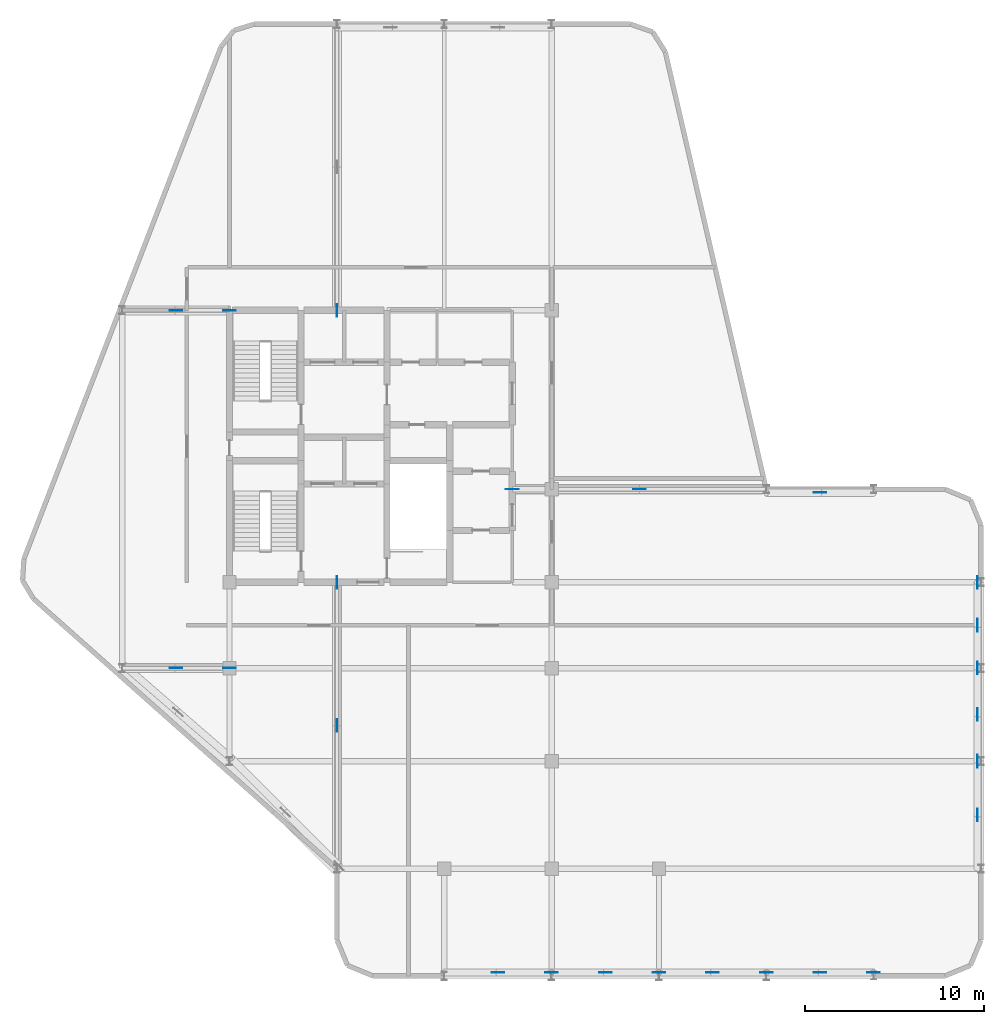
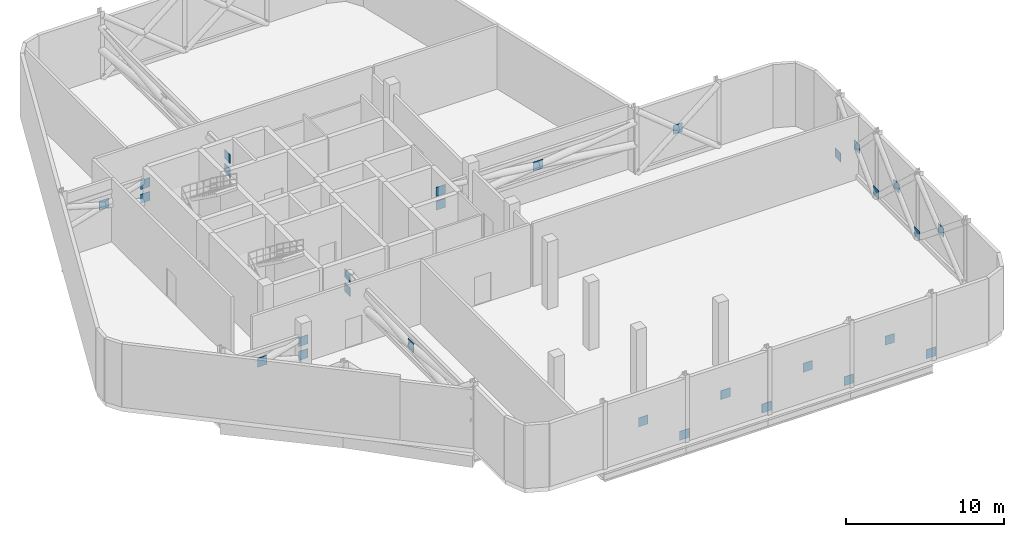
# One storey, part 8 of 12: 29 plates.
"""IFC4 building model written with IfcOpenShell, lengths in metres."""

from ifc_helpers import new_model, si_unit, direction, frame, origin, origin_2d, place, context, subcontext, project, spatial, rectangle, extrude, material, layer, layer_set, type_object, element, save


model = new_model("IFC4")

# Units and contexts
model_context = context("Model", 3, precision=1e-05, world=origin(), true_north=direction((0.0, 1.0)))
body_context = subcontext(model_context, "Body", "Model", "MODEL_VIEW")
ifc_project = project(units=[si_unit("LENGTHUNIT", "METRE"), si_unit("AREAUNIT", "SQUARE_METRE"), si_unit("VOLUMEUNIT", "CUBIC_METRE"), si_unit("PLANEANGLEUNIT", "RADIAN"), si_unit("MASSUNIT", "GRAM", prefix="KILO")], contexts=[model_context])

# Site, building, storey
site_placement = place(None, origin())
site = spatial("IfcSite", under=ifc_project, at=site_placement, CompositionType="ELEMENT")
building_placement = place(site_placement, origin())
building = spatial("IfcBuilding", under=site, at=building_placement, Name="Keshet Zoharim Tower", CompositionType="ELEMENT")
storey_placement = place(building_placement, frame((0.0, 0.0, 237.60009765625)))
storey = spatial("IfcBuildingStorey", under=building, at=storey_placement, Name="L59", CompositionType="ELEMENT", Elevation=237.60009765625)

# Plates
ifc_material = material(Name="Steel S355", Category="steel")
ifc_layer = layer(ifc_material, 0.02490234375)
ifc_layer_set = layer_set([ifc_layer], Name="Steel S355")
plate_type = type_object("IfcPlateType", Name="PL-GUS-25", PredefinedType="SHEET", material=ifc_layer_set)
for number, where, z_axis, x_axis, name in (
    (1, (56.81005859375, 20.300048828125, 2.08984375), (0.0, 0.0, 1.0), (0.0, -1.0, 0.0), "L59 Belt Truss X-Crossing Gusset 01"),
    (2, (56.81005859375, 22.699951171875, 0.0), (0.0, 0.0, 1.0), (0.0, -1.0, 0.0), "L59 Belt Truss Node Gusset 01"),
    (3, (56.81005859375, 15.300048828125, 2.08984375), (0.0, 0.0, 1.0), (0.0, -1.0, 0.0), "L59 Belt Truss X-Crossing Gusset 02"),
    (4, (56.81005859375, 17.89990234375, 0.0), (0.0, 0.0, 1.0), (0.0, -1.0, 0.0), "L59 Belt Truss Node Gusset 02"),
    (5, (56.81005859375, 9.699951171875, 2.08984375), (0.0, 0.0, 1.0), (0.0, -1.0, 0.0), "L59 Belt Truss X-Crossing Gusset 03"),
    (6, (56.81005859375, 12.699951171875, 0.0), (0.0, 0.0, 1.0), (0.0, -1.0, 0.0), "L59 Belt Truss Node Gusset 03"),
    (7, (48.0, 0.889892578125, 2.08984375), (0.0, 0.0, 1.0), (-1.0, 0.0, 0.0), "L59 Belt Truss X-Crossing Gusset 04"),
    (8, (51.0, 0.889892578125, 0.0), (0.0, 0.0, 1.0), (-1.0, 0.0, 0.0), "L59 Belt Truss Node Gusset 04"),
    (9, (42.0, 0.889892578125, 2.08984375), (0.0, 0.0, 1.0), (-1.0, 0.0, 0.0), "L59 Belt Truss X-Crossing Gusset 05"),
    (10, (45.0, 0.889892578125, 0.0), (0.0, 0.0, 1.0), (-1.0, 0.0, 0.0), "L59 Belt Truss Node Gusset 05"),
    (11, (36.0, 0.889892578125, 2.08984375), (0.0, 0.0, 1.0), (-1.0, 0.0, 0.0), "L59 Belt Truss X-Crossing Gusset 06"),
    (12, (39.0, 0.889892578125, 0.0), (0.0, 0.0, 1.0), (-1.0, 0.0, 0.0), "L59 Belt Truss Node Gusset 06"),
    (13, (30.0, 0.889892578125, 2.08984375), (0.0, 0.0, 1.0), (-1.0, 0.0, 0.0), "L59 Belt Truss X-Crossing Gusset 07"),
    (14, (33.0, 0.889892578125, 0.0), (0.0, 0.0, 1.0), (-1.0, 0.0, 0.0), "L59 Belt Truss Node Gusset 07"),
    (15, (48.0, 27.7099609375, 2.08984375), (0.0, 0.0, 1.0), (1.0, 0.0, 0.0), "L59 Belt Truss X-Crossing Gusset 12"),
    (16, (15.0, 17.89990234375, 2.14990234375), (0.0, 0.0, 1.0), (1.0, 0.0, 0.0), "L59 Core Outrigger Anchor Gusset W1"),
    (17, (15.0, 17.89990234375, 3.2197265625), (0.0, 0.0, 1.0), (1.0, 0.0, 0.0), "L59 Core Outrigger Top Chord Anchor Gusset W1"),
    (18, (12.0, 17.89990234375, 2.68505859375), (0.0, 0.0, 1.0), (1.0, 0.0, 0.0), "L59 Core Outrigger X-Crossing Gusset W1"),
    (19, (15.0, 37.89990234375, 2.14990234375), (0.0, 0.0, 1.0), (1.0, 0.0, 0.0), "L59 Core Outrigger Anchor Gusset W2"),
    (20, (15.0, 37.89990234375, 3.2197265625), (0.0, 0.0, 1.0), (1.0, 0.0, 0.0), "L59 Core Outrigger Top Chord Anchor Gusset W2"),
    (21, (12.0, 37.89990234375, 2.68505859375), (0.0, 0.0, 1.0), (1.0, 0.0, 0.0), "L59 Core Outrigger X-Crossing Gusset W2"),
    (22, (30.800048828125, 27.89990234375, 2.14990234375), (0.0, 0.0, 1.0), (1.0, 0.0, 0.0), "L59 Core Outrigger Anchor Gusset E1"),
    (23, (30.800048828125, 27.89990234375, 3.2197265625), (0.0, 0.0, 1.0), (1.0, 0.0, 0.0), "L59 Core Outrigger Top Chord Anchor Gusset E1"),
    (24, (37.89990234375, 27.89990234375, 2.68505859375), (0.0, 0.0, 1.0), (1.0, 0.0, 0.0), "L59 Core Outrigger X-Crossing Gusset E1"),
    (25, (21.0, 22.699951171875, 2.14990234375), (0.0, 0.0, 1.0), (0.0, 1.0, 0.0), "L59 Core Outrigger Anchor Gusset S1"),
    (26, (21.0, 22.699951171875, 3.2197265625), (0.0, 0.0, 1.0), (0.0, 1.0, 0.0), "L59 Core Outrigger Top Chord Anchor Gusset S1"),
    (27, (21.0, 14.699951171875, 2.68505859375), (0.0, 0.0, 1.0), (0.0, 1.0, 0.0), "L59 Core Outrigger X-Crossing Gusset S1"),
    (28, (21.0, 37.89990234375, 2.14990234375), (0.0, 0.0, 1.0), (0.0, 1.0, 0.0), "L59 Core Outrigger Anchor Gusset N1"),
    (29, (21.0, 37.89990234375, 3.2197265625), (0.0, 0.0, 1.0), (0.0, 1.0, 0.0), "L59 Core Outrigger Top Chord Anchor Gusset N1"),
):
    element("IfcPlate", number, at=place(storey_placement, frame(where, z_axis=z_axis, x_axis=x_axis)), inside=storey, type_object=plate_type, Name=name, PredefinedType="SHEET", context=body_context, shape_type="SweptSolid", body=[
        extrude(rectangle(XDim=0.699951171875, YDim=0.02490234375, at=origin_2d()), origin(), (0.0, 0.0, 1.0), 0.699951171875),
    ])

save(model, "model.ifc")
